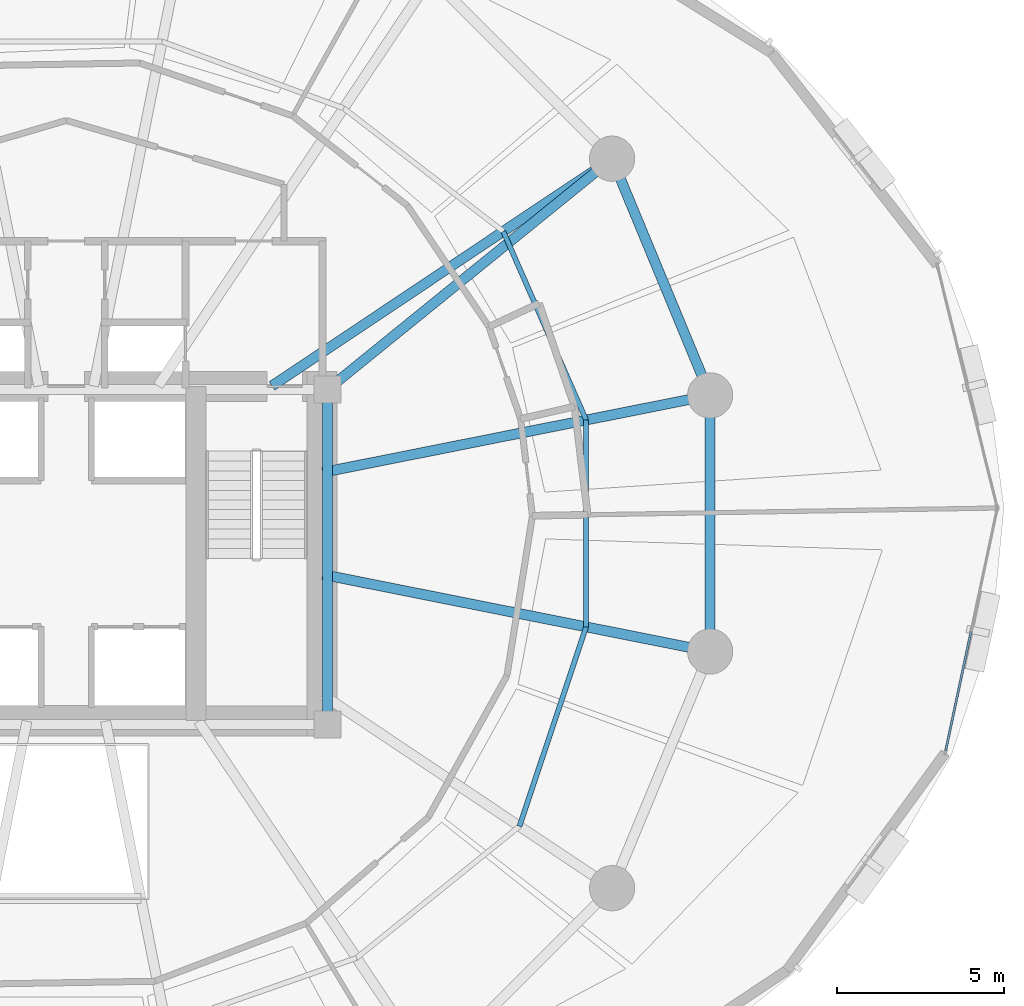
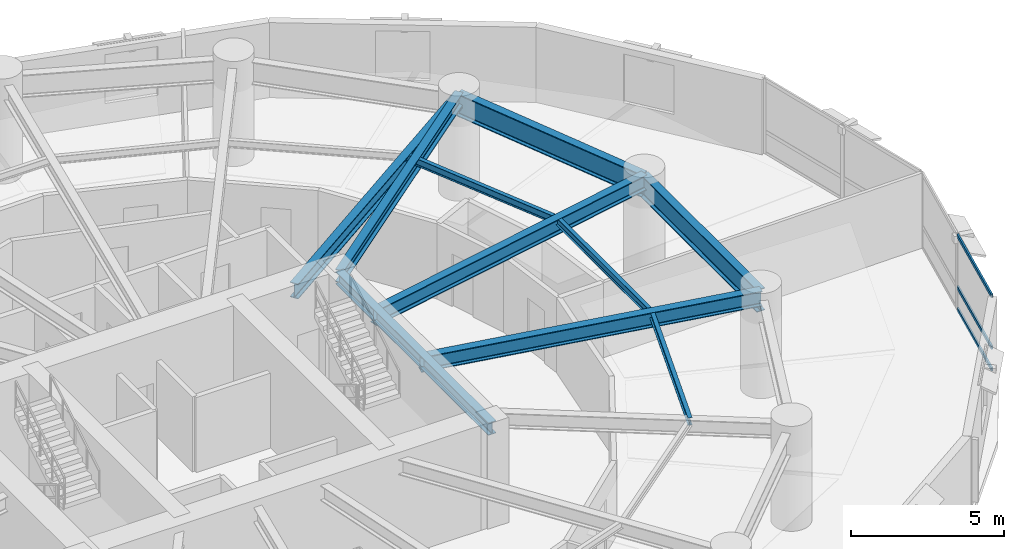
# One storey, part 9 of 17: 10 beams, 3 members, 1 element without a shape of its own.
"""IFC4 building model written with IfcOpenShell, lengths in metres."""

from ifc_helpers import new_model, si_unit, direction, frame, origin, origin_2d, place, context, subcontext, project, spatial, hollow_rectangle, i_section, extrude, material, layer, layer_set, material_profile, profile_set, type_object, element, aggregate, save


model = new_model("IFC4")

# Units and contexts
model_context = context("Model", 3, precision=1e-05, world=origin(), true_north=direction((0.0, 1.0)))
body_context = subcontext(model_context, "Body", "Model", "MODEL_VIEW")
ifc_project = project(units=[si_unit("LENGTHUNIT", "METRE"), si_unit("AREAUNIT", "SQUARE_METRE"), si_unit("VOLUMEUNIT", "CUBIC_METRE"), si_unit("PLANEANGLEUNIT", "RADIAN"), si_unit("MASSUNIT", "GRAM", prefix="KILO"), si_unit("THERMODYNAMICTEMPERATUREUNIT", "KELVIN"), si_unit("POWERUNIT", "WATT")], contexts=[model_context])

# Site, building, storey
site_placement = place(None, origin())
site = spatial("IfcSite", under=ifc_project, at=site_placement, CompositionType="ELEMENT")
building_placement = place(site_placement, origin())
building = spatial("IfcBuilding", under=site, at=building_placement, Name="Ocrelia Relay Tower", CompositionType="ELEMENT")
storey_placement = place(building_placement, frame((0.0, 0.0, 34.199951171875)))
storey = spatial("IfcBuildingStorey", under=building, at=storey_placement, Name="L07", CompositionType="ELEMENT", Elevation=34.199951171875)

# Beams
ifc_material_1 = material(Name="Steel S355", Category="steel")
ifc_material_profile_1 = material_profile(ifc_material_1, i_section(OverallWidth=0.300048828125, OverallDepth=0.5, WebThickness=0.014404296875, FlangeThickness=0.028076171875, FilletRadius=0.027099609375, at=origin_2d()), Name="HEB 500")
ifc_profile_set_1 = profile_set([ifc_material_profile_1], Name="Steel S355")
beam_type_1 = type_object("IfcBeamType", Name="BM-HEB500", PredefinedType="BEAM", material=ifc_profile_set_1)
beam_1_placement = place(storey_placement, frame((41.800048828125, 20.0, 3.670166015625), z_axis=(0.0, 1.0, 0.0), x_axis=(-1.0, 0.0, 0.0)))
element("IfcBeam", 1, at=beam_1_placement, inside=storey, type_object=beam_type_1, Name="L07 Core Pilaster Tie Beam E", PredefinedType="BEAM", context=body_context, shape_type="SweptSolid", body=[
    extrude(i_section(OverallWidth=0.300048828125, OverallDepth=0.5, WebThickness=0.014404296875, FlangeThickness=0.028076171875, FilletRadius=0.027099609375, at=origin_2d()), origin(), (0.0, 0.0, 1.0), 10.0),
])
beam_2_placement = place(storey_placement, frame((50.296875, 36.88916015625, 3.670166015625), z_axis=(-0.776762830896, -0.629793223637, 0.0), x_axis=(0.629793223637, -0.776762830896, 0.0)))
element("IfcBeam", 2, at=beam_2_placement, inside=storey, type_object=beam_type_1, Name="L07 Core Pilaster Frame Tie Beam PT02", PredefinedType="BEAM", context=body_context, shape_type="SweptSolid", body=[
    extrude(i_section(OverallWidth=0.300048828125, OverallDepth=0.5, WebThickness=0.014404296875, FlangeThickness=0.028076171875, FilletRadius=0.027099609375, at=origin_2d()), origin(), (0.0, 0.0, 1.0), 10.938720703125),
])
ifc_material_profile_2 = material_profile(ifc_material_1, i_section(OverallWidth=0.300048828125, OverallDepth=0.60009765625, WebThickness=0.015380859375, FlangeThickness=0.030029296875, FilletRadius=0.027099609375, at=origin_2d()), Name="HEB 600")
ifc_profile_set_2 = profile_set([ifc_material_profile_2], Name="Steel S355")
beam_type_2 = type_object("IfcBeamType", Name="BM-HEB600", PredefinedType="BEAM", material=ifc_profile_set_2)
beam_3_placement = place(storey_placement, frame((53.223388671875, 29.82373046875, 3.6201171875), z_axis=(-0.980786324446, -0.195085073187, 0.0), x_axis=(0.195085073187, -0.980786324446, 0.0)))
element("IfcBeam", 3, at=beam_3_placement, inside=storey, type_object=beam_type_2, Name="L07 Radial Floor Girder R01", PredefinedType="BEAM", context=body_context, shape_type="SweptSolid", body=[
    extrude(i_section(OverallWidth=0.300048828125, OverallDepth=0.60009765625, WebThickness=0.015380859375, FlangeThickness=0.030029296875, FilletRadius=0.027099609375, at=origin_2d()), origin(), (0.0, 0.0, 1.0), 11.794921875),
])
beam_4_placement = place(storey_placement, frame((50.296875, 36.88916015625, 3.6201171875), z_axis=(-0.831471581268, -0.555567286243, 0.0), x_axis=(0.555567286243, -0.831471581268, 0.0)))
element("IfcBeam", 4, at=beam_4_placement, inside=storey, type_object=beam_type_2, Name="L07 Radial Floor Girder R02", PredefinedType="BEAM", context=body_context, shape_type="SweptSolid", body=[
    extrude(i_section(OverallWidth=0.300048828125, OverallDepth=0.60009765625, WebThickness=0.015380859375, FlangeThickness=0.030029296875, FilletRadius=0.027099609375, at=origin_2d()), origin(), (0.0, 0.0, 1.0), 12.211181640625),
])
beam_5_placement = place(storey_placement, frame((53.223388671875, 22.17626953125, 3.6201171875), z_axis=(-0.980786324446, 0.195085073187, 0.0), x_axis=(-0.195085073187, -0.980786324446, 0.0)))
element("IfcBeam", 5, at=beam_5_placement, inside=storey, type_object=beam_type_2, Name="L07 Radial Floor Girder R16", PredefinedType="BEAM", context=body_context, shape_type="SweptSolid", body=[
    extrude(i_section(OverallWidth=0.300048828125, OverallDepth=0.60009765625, WebThickness=0.015380859375, FlangeThickness=0.030029296875, FilletRadius=0.027099609375, at=origin_2d()), origin(), (0.0, 0.0, 1.0), 11.794921875),
])
ifc_material_profile_3 = material_profile(ifc_material_1, i_section(OverallWidth=0.300048828125, OverallDepth=0.89990234375, WebThickness=0.0185546875, FlangeThickness=0.034912109375, FilletRadius=0.030029296875, at=origin_2d()), Name="HEB 900")
ifc_profile_set_3 = profile_set([ifc_material_profile_3], Name="Steel S355")
beam_type_3 = type_object("IfcBeamType", Name="BM-HEB900", PredefinedType="BEAM", material=ifc_profile_set_3)
for number, where, z_axis, x_axis, name in (
    (6, (53.223388671875, 29.82373046875, 3.469970703125), (-0.382674154222, 0.923883375589, 0.0), (-0.923883375589, -0.382674154222, 0.0), "L07 Perimeter Spandrel Beam S01"),
    (7, (53.223388671875, 22.17626953125, 3.469970703125), (0.0, 1.0, 0.0), (-1.0, 0.0, 0.0), "L07 Perimeter Spandrel Beam S16"),
):
    element("IfcBeam", number, at=place(storey_placement, frame(where, z_axis=z_axis, x_axis=x_axis)), inside=storey, type_object=beam_type_3, Name=name, PredefinedType="BEAM", context=body_context, shape_type="SweptSolid", body=[
        extrude(i_section(OverallWidth=0.300048828125, OverallDepth=0.89990234375, WebThickness=0.0185546875, FlangeThickness=0.034912109375, FilletRadius=0.030029296875, at=origin_2d()), origin(), (0.0, 0.0, 1.0), 7.6474609375),
    ])
ifc_material_profile_4 = material_profile(ifc_material_1, i_section(OverallWidth=0.14990234375, OverallDepth=0.300048828125, WebThickness=0.007080078125, FlangeThickness=0.0107421875, FilletRadius=0.014892578125, at=origin_2d()), Name="IPE 300")
ifc_profile_set_4 = profile_set([ifc_material_profile_4], Name="Steel S355")
beam_type_4 = type_object("IfcBeamType", Name="BM-IPE300", PredefinedType="JOIST", material=ifc_profile_set_4)
beam_6_placement = place(storey_placement, frame((49.521484375, 29.08740234375, 3.77001953125), z_axis=(-0.402201104053, 0.915551348586, 0.0), x_axis=(-0.915551348586, -0.402201104053, 0.0)))
element("IfcBeam", 8, at=beam_6_placement, inside=storey, type_object=beam_type_4, Name="L07 Secondary Floor Joist J01", PredefinedType="JOIST", context=body_context, shape_type="SweptSolid", body=[
    extrude(i_section(OverallWidth=0.14990234375, OverallDepth=0.300048828125, WebThickness=0.007080078125, FlangeThickness=0.0107421875, FilletRadius=0.014892578125, at=origin_2d()), origin(), (0.0, 0.0, 1.0), 6.150146484375),
])
beam_7_placement = place(storey_placement, frame((47.531494140625, 16.95849609375, 3.77001953125), z_axis=(0.31698600471, 0.948430215049, 0.0), x_axis=(-0.948430215049, 0.31698600471, 0.0)))
element("IfcBeam", 9, at=beam_7_placement, inside=storey, type_object=beam_type_4, Name="L07 Secondary Floor Joist J15", PredefinedType="JOIST", context=body_context, shape_type="SweptSolid", body=[
    extrude(i_section(OverallWidth=0.14990234375, OverallDepth=0.300048828125, WebThickness=0.007080078125, FlangeThickness=0.0107421875, FilletRadius=0.014892578125, at=origin_2d()), origin(), (0.0, 0.0, 1.0), 6.27783203125),
])
beam_8_placement = place(storey_placement, frame((49.521484375, 22.91259765625, 3.77001953125), z_axis=(0.0, 1.0, 0.0), x_axis=(-1.0, 0.0, 0.0)))
element("IfcBeam", 10, at=beam_8_placement, inside=storey, type_object=beam_type_4, Name="L07 Secondary Floor Joist J16", PredefinedType="JOIST", context=body_context, shape_type="SweptSolid", body=[
    extrude(i_section(OverallWidth=0.14990234375, OverallDepth=0.300048828125, WebThickness=0.007080078125, FlangeThickness=0.0107421875, FilletRadius=0.014892578125, at=origin_2d()), origin(), (0.0, 0.0, 1.0), 6.1748046875),
])

# Curtain wall, members
ifc_material_2 = material(Name="Aluminium and solar-control low-E glass", Category="aluminium")
ifc_layer = layer(ifc_material_2, 0.179931640625, Name="Aluminium and solar-control low-E glass")
ifc_layer_set = layer_set([ifc_layer], Name="Aluminium and solar-control low-E glass")
curtain_wall_type = type_object("IfcCurtainWallType", Name="CW-SYS-Z1-DATA", PredefinedType="NOTDEFINED", material=ifc_layer_set)
curtain_wall_placement = place(storey_placement, origin())
curtain_wall = element("IfcCurtainWall", 11, at=curtain_wall_placement, inside=storey, type_object=curtain_wall_type, Name="L07 Elliptical Tower Curtain Wall Bay 18", PredefinedType="NOTDEFINED")
ifc_material_3 = material(Name="Anodised bronze aluminium", Category="aluminium")
ifc_material_profile_5 = material_profile(ifc_material_3, hollow_rectangle(XDim=0.06494140625, YDim=0.139892578125, WallThickness=0.0048828125, at=origin_2d()), Name="CW-TRN-140x65")
ifc_profile_set_5 = profile_set([ifc_material_profile_5], Name="Anodised bronze aluminium")
member_type = type_object("IfcMemberType", Name="CW-SYS-Z1-DATA-TRN", PredefinedType="USERDEFINED", material=ifc_profile_set_5)
member_1_placement = place(storey_placement, frame((60.255126953125, 19.217529296875, 0.032470703125), z_axis=(0.208133635727, 0.978100398568, 0.0), x_axis=(-0.978100398568, 0.208133635727, 0.0)))
member_1 = element("IfcMember", 12, at=member_1_placement, type_object=member_type, Name="CW-Z1 transom 1.1", ObjectType="TRANSOM", PredefinedType="USERDEFINED", context=body_context, shape_type="SweptSolid", body=[
    extrude(hollow_rectangle(XDim=0.06494140625, YDim=0.139892578125, WallThickness=0.0048828125, at=origin_2d()), origin(), (0.0, 0.0, 1.0), 3.6328125),
])
member_2_placement = place(storey_placement, frame((60.255126953125, 19.217529296875, 0.900146484375), z_axis=(0.208133635727, 0.978100398568, 0.0), x_axis=(-0.978100398568, 0.208133635727, 0.0)))
member_2 = element("IfcMember", 13, at=member_2_placement, type_object=member_type, Name="CW-Z1 transom 1.2", ObjectType="TRANSOM", PredefinedType="USERDEFINED", context=body_context, shape_type="SweptSolid", body=[
    extrude(hollow_rectangle(XDim=0.06494140625, YDim=0.139892578125, WallThickness=0.0048828125, at=origin_2d()), origin(), (0.0, 0.0, 1.0), 3.6328125),
])
member_3_placement = place(storey_placement, frame((60.255126953125, 19.217529296875, 2.967529296875), z_axis=(0.208133635727, 0.978100398568, 0.0), x_axis=(-0.978100398568, 0.208133635727, 0.0)))
member_3 = element("IfcMember", 14, at=member_3_placement, type_object=member_type, Name="CW-Z1 transom 1.3", ObjectType="TRANSOM", PredefinedType="USERDEFINED", context=body_context, shape_type="SweptSolid", body=[
    extrude(hollow_rectangle(XDim=0.06494140625, YDim=0.139892578125, WallThickness=0.0048828125, at=origin_2d()), origin(), (0.0, 0.0, 1.0), 3.6328125),
])
aggregate(curtain_wall, [member_1, member_2, member_3])

save(model, "model.ifc")
